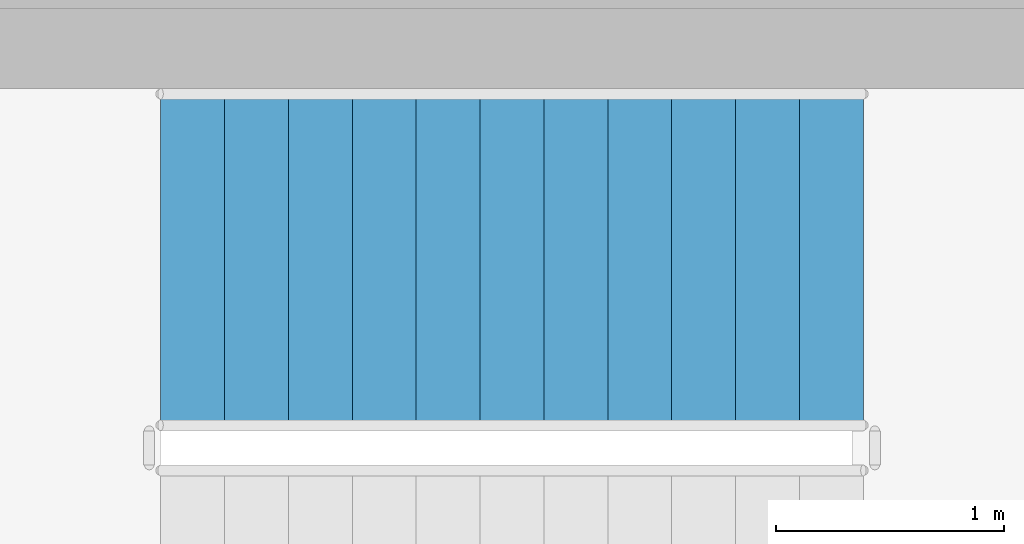
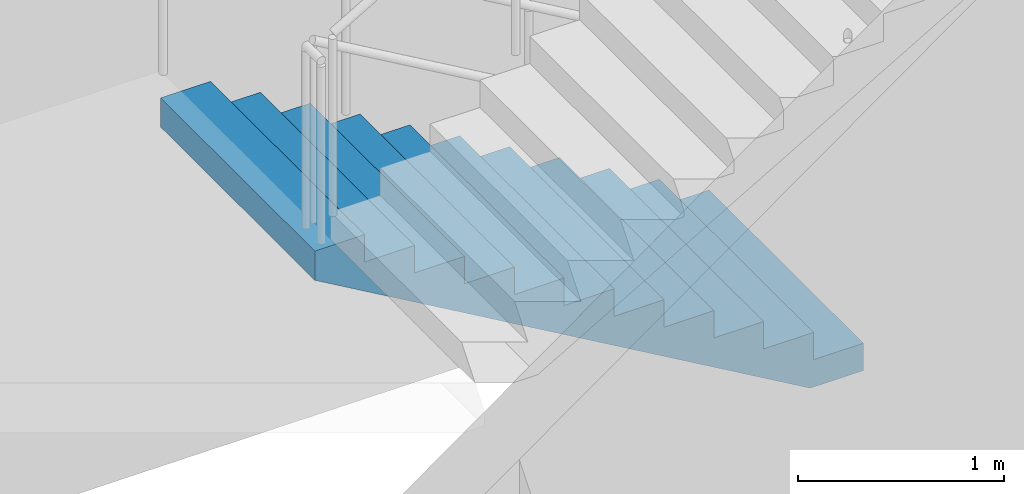
# One storey, part 76 of 95: 1 stair flight, 1 element without a shape of its own.
"""IFC4 building model written with IfcOpenShell, lengths in metres."""

from ifc_helpers import new_model, si_unit, direction, frame, origin, place, context, subcontext, project, spatial, triangles, material, type_object, element, aggregate, save


model = new_model("IFC4")

# Units and contexts
model_context = context("Model", 3, precision=1e-05, world=origin(), true_north=direction((0.0, 1.0)))
body_context = subcontext(model_context, "Body", "Model", "MODEL_VIEW")
ifc_project = project(units=[si_unit("LENGTHUNIT", "METRE"), si_unit("AREAUNIT", "SQUARE_METRE"), si_unit("VOLUMEUNIT", "CUBIC_METRE"), si_unit("PLANEANGLEUNIT", "RADIAN"), si_unit("MASSUNIT", "GRAM", prefix="KILO")], contexts=[model_context])

# Site, building, storey
site_placement = place(None, origin())
site = spatial("IfcSite", under=ifc_project, at=site_placement, CompositionType="ELEMENT")
building_placement = place(site_placement, origin())
building = spatial("IfcBuilding", under=site, at=building_placement, Name="Magnolia Steps Interchange", CompositionType="ELEMENT")
storey_placement = place(building_placement, frame((0.0, 0.0, 4.800048828125)))
storey = spatial("IfcBuildingStorey", under=building, at=storey_placement, Name="L01", CompositionType="ELEMENT", Elevation=4.800048828125)

# Stair, stair flight
ifc_material_1 = material(Name="Concrete C40", Category="concrete")
stair_type = type_object("IfcStairType", Name="Exit stair 1500", PredefinedType="HALF_TURN_STAIR", material=ifc_material_1)
stair_placement = place(storey_placement, origin())
stair = element("IfcStair", 1, at=stair_placement, inside=storey, type_object=stair_type, Name="L01 Stair 2", PredefinedType="HALF_TURN_STAIR")
ifc_material_2 = material(Name="Concrete C40", Category="concrete")
stair_flight_type = type_object("IfcStairFlightType", Name="Exit stair flight", PredefinedType="STRAIGHT", material=ifc_material_2)
stair_flight_placement = place(storey_placement, frame((59.0, 84.35009765625, 0.0), z_axis=(0.0, 0.0, 1.0), x_axis=(-1.0, 0.0, 0.0)))
stair_flight = element("IfcStairFlight", 2, at=stair_flight_placement, type_object=stair_flight_type, Name="Stair 2 flight 1", NumberOfRisers=12, NumberOfTreads=11, PredefinedType="STRAIGHT", RiserHeight=0.1625, TreadLength=0.28, context=body_context, shape_type="Tessellation", body=[
    triangles([(0.0, -0.75, 0.0), (0.298583984375, -0.75, 0.0), (3.080078125, -0.75, 1.6142578125), (3.080078125, -0.75, 1.78759765625), (2.800048828125, -0.75, 1.78759765625), (2.800048828125, -0.75, 1.625), (2.52001953125, -0.75, 1.625), (2.52001953125, -0.75, 1.46240234375), (2.239990234375, -0.75, 1.46240234375), (2.239990234375, -0.75, 1.300048828125), (1.9599609375, -0.75, 1.300048828125), (1.9599609375, -0.75, 1.137451171875), (1.679931640625, -0.75, 1.137451171875), (1.679931640625, -0.75, 0.97509765625), (1.39990234375, -0.75, 0.97509765625), (1.39990234375, -0.75, 0.8125), (1.1201171875, -0.75, 0.8125), (1.1201171875, -0.75, 0.64990234375), (0.840087890625, -0.75, 0.64990234375), (0.840087890625, -0.75, 0.487548828125), (0.56005859375, -0.75, 0.487548828125), (0.56005859375, -0.75, 0.324951171875), (0.280029296875, -0.75, 0.324951171875), (0.280029296875, -0.75, 0.16259765625), (0.0, -0.75, 0.16259765625), (0.0, 0.75, 0.0), (0.298583984375, 0.75, 0.0), (3.080078125, 0.75, 1.6142578125), (3.080078125, 0.75, 1.78759765625), (2.800048828125, 0.75, 1.78759765625), (2.800048828125, 0.75, 1.625), (2.52001953125, 0.75, 1.625), (2.52001953125, 0.75, 1.46240234375), (2.239990234375, 0.75, 1.46240234375), (2.239990234375, 0.75, 1.300048828125), (1.9599609375, 0.75, 1.300048828125), (1.9599609375, 0.75, 1.137451171875), (1.679931640625, 0.75, 1.137451171875), (1.679931640625, 0.75, 0.97509765625), (1.39990234375, 0.75, 0.97509765625), (1.39990234375, 0.75, 0.8125), (1.1201171875, 0.75, 0.8125), (1.1201171875, 0.75, 0.64990234375), (0.840087890625, 0.75, 0.64990234375), (0.840087890625, 0.75, 0.487548828125), (0.56005859375, 0.75, 0.487548828125), (0.56005859375, 0.75, 0.324951171875), (0.280029296875, 0.75, 0.324951171875), (0.280029296875, 0.75, 0.16259765625), (0.0, 0.75, 0.16259765625), (0.0, 0.0, 0.0), (0.0, 0.0, 0.0406494140625), (0.0, 0.0, 0.081298828125), (0.0, 0.0, 0.1219482421875), (0.0, 0.0, 0.16259765625), (0.0, -0.05, 0.0), (0.0, -0.05, 0.16259765625), (0.0, 0.05, 0.0), (0.0, 0.05, 0.16259765625), (0.046671549479166664, 0.0, 0.16259765625), (0.09334309895833333, 0.0, 0.16259765625), (0.1400146484375, 0.0, 0.16259765625), (0.18668619791666666, 0.0, 0.16259765625), (0.23335774739583334, 0.0, 0.16259765625), (0.280029296875, 0.0, 0.16259765625), (0.280029296875, -0.05, 0.16259765625), (0.280029296875, 0.05, 0.16259765625), (0.280029296875, 0.0, 0.20318603515625), (0.280029296875, 0.0, 0.2437744140625), (0.280029296875, 0.0, 0.28436279296875), (0.280029296875, 0.0, 0.324951171875), (0.280029296875, -0.05, 0.324951171875), (0.280029296875, 0.05, 0.324951171875), (0.3267008463541667, 0.0, 0.324951171875), (0.3733723958333333, 0.0, 0.324951171875), (0.4200439453125, 0.0, 0.324951171875), (0.46671549479166663, 0.0, 0.324951171875), (0.5133870442708334, 0.0, 0.324951171875), (0.56005859375, 0.0, 0.324951171875), (0.56005859375, -0.05, 0.324951171875), (0.56005859375, 0.05, 0.324951171875), (0.56005859375, 0.0, 0.3656005859375), (0.56005859375, 0.0, 0.40625), (0.56005859375, 0.0, 0.4468994140625), (0.56005859375, 0.0, 0.487548828125), (0.56005859375, -0.05, 0.487548828125), (0.56005859375, 0.05, 0.487548828125), (0.6067301432291666, 0.0, 0.487548828125), (0.6534016927083334, 0.0, 0.487548828125), (0.7000732421875, 0.0, 0.487548828125), (0.7467447916666666, 0.0, 0.487548828125), (0.7934163411458334, 0.0, 0.487548828125), (0.840087890625, 0.0, 0.487548828125), (0.840087890625, -0.05, 0.487548828125), (0.840087890625, 0.05, 0.487548828125), (0.840087890625, 0.0, 0.52813720703125), (0.840087890625, 0.0, 0.5687255859375), (0.840087890625, 0.0, 0.60931396484375), (0.840087890625, 0.0, 0.64990234375), (0.840087890625, -0.05, 0.64990234375), (0.840087890625, 0.05, 0.64990234375), (0.8867594401041666, 0.0, 0.64990234375), (0.9334309895833334, 0.0, 0.64990234375), (0.9801025390625, 0.0, 0.64990234375), (1.0267740885416667, 0.0, 0.64990234375), (1.0734456380208333, 0.0, 0.64990234375), (1.1201171875, 0.0, 0.64990234375), (1.1201171875, -0.05, 0.64990234375), (1.1201171875, 0.05, 0.64990234375), (1.1201171875, 0.0, 0.6905517578125), (1.1201171875, 0.0, 0.731201171875), (1.1201171875, 0.0, 0.7718505859375), (1.1201171875, 0.0, 0.8125), (1.1201171875, -0.05, 0.8125), (1.1201171875, 0.05, 0.8125), (1.1900634765625, 0.0, 0.8125), (1.260009765625, 0.0, 0.8125), (1.3299560546875, 0.0, 0.8125), (1.39990234375, 0.0, 0.8125), (1.39990234375, -0.05, 0.8125), (1.39990234375, 0.05, 0.8125), (1.39990234375, 0.0, 0.8531494140625), (1.39990234375, 0.0, 0.893798828125), (1.39990234375, 0.0, 0.9344482421875), (1.39990234375, 0.0, 0.97509765625), (1.39990234375, -0.05, 0.97509765625), (1.39990234375, 0.05, 0.97509765625), (1.4465738932291667, 0.0, 0.97509765625), (1.4932454427083333, 0.0, 0.97509765625), (1.5399169921875, 0.0, 0.97509765625), (1.5865885416666667, 0.0, 0.97509765625), (1.6332600911458333, 0.0, 0.97509765625), (1.679931640625, 0.0, 0.97509765625), (1.679931640625, -0.05, 0.97509765625), (1.679931640625, 0.05, 0.97509765625), (1.679931640625, 0.0, 1.01568603515625), (1.679931640625, 0.0, 1.0562744140625), (1.679931640625, 0.0, 1.09686279296875), (1.679931640625, 0.0, 1.137451171875), (1.679931640625, -0.05, 1.137451171875), (1.679931640625, 0.05, 1.137451171875), (1.7266031901041667, 0.0, 1.137451171875), (1.7732747395833333, 0.0, 1.137451171875), (1.8199462890625, 0.0, 1.137451171875), (1.8666178385416667, 0.0, 1.137451171875), (1.9132893880208333, 0.0, 1.137451171875), (1.9599609375, 0.0, 1.137451171875), (1.9599609375, -0.05, 1.137451171875), (1.9599609375, 0.05, 1.137451171875), (1.9599609375, 0.0, 1.1781005859375), (1.9599609375, 0.0, 1.21875), (1.9599609375, 0.0, 1.2593994140625), (1.9599609375, 0.0, 1.300048828125), (1.9599609375, -0.05, 1.300048828125), (1.9599609375, 0.05, 1.300048828125), (2.0066324869791665, 0.0, 1.300048828125), (2.0533040364583335, 0.0, 1.300048828125), (2.0999755859375, 0.0, 1.300048828125), (2.1466471354166665, 0.0, 1.300048828125), (2.1933186848958335, 0.0, 1.300048828125), (2.239990234375, 0.0, 1.300048828125), (2.239990234375, -0.05, 1.300048828125), (2.239990234375, 0.05, 1.300048828125), (2.239990234375, 0.0, 1.34063720703125), (2.239990234375, 0.0, 1.3812255859375), (2.239990234375, 0.0, 1.42181396484375), (2.239990234375, 0.0, 1.46240234375), (2.239990234375, -0.05, 1.46240234375), (2.239990234375, 0.05, 1.46240234375), (2.2866617838541665, 0.0, 1.46240234375), (2.3333333333333335, 0.0, 1.46240234375), (2.3800048828125, 0.0, 1.46240234375), (2.4266764322916665, 0.0, 1.46240234375), (2.4733479817708335, 0.0, 1.46240234375), (2.52001953125, 0.0, 1.46240234375), (2.52001953125, -0.05, 1.46240234375), (2.52001953125, 0.05, 1.46240234375), (2.52001953125, 0.0, 1.5030517578125), (2.52001953125, 0.0, 1.543701171875), (2.52001953125, 0.0, 1.5843505859375), (2.52001953125, 0.0, 1.625), (2.52001953125, -0.05, 1.625), (2.52001953125, 0.05, 1.625), (2.5666910807291665, 0.0, 1.625), (2.6133626302083335, 0.0, 1.625), (2.6600341796875, 0.0, 1.625), (2.7067057291666665, 0.0, 1.625), (2.7533772786458335, 0.0, 1.625), (2.800048828125, 0.0, 1.625), (2.800048828125, -0.05, 1.625), (2.800048828125, 0.05, 1.625), (2.800048828125, 0.0, 1.6656494140625), (2.800048828125, 0.0, 1.706298828125), (2.800048828125, 0.0, 1.7469482421875), (2.800048828125, 0.0, 1.78759765625), (2.800048828125, -0.05, 1.78759765625), (2.800048828125, 0.05, 1.78759765625), (2.8467203776041665, 0.0, 1.78759765625), (2.8933919270833335, 0.0, 1.78759765625), (2.9400634765625, 0.0, 1.78759765625), (2.9867350260416665, 0.0, 1.78759765625), (3.0334065755208335, 0.0, 1.78759765625), (3.080078125, 0.0, 1.78759765625), (3.080078125, -0.05, 1.78759765625), (3.080078125, 0.05, 1.78759765625), (3.080078125, 0.0, 1.7442626953125), (3.080078125, 0.0, 1.700927734375), (3.080078125, 0.0, 1.6575927734375), (3.080078125, 0.0, 1.6142578125), (3.080078125, -0.05, 1.6142578125), (3.080078125, 0.05, 1.6142578125), (3.0196108610733696, 0.0, 1.5791652513586956), (2.9591435971467392, 0.0, 1.5440726902173914), (2.898676333220109, 0.0, 1.508980129076087), (2.8382090692934785, 0.0, 1.4738875679347827), (2.7777418053668477, 0.0, 1.4387950067934783), (2.7172745414402173, 0.0, 1.4037024456521738), (2.656807277513587, 0.0, 1.3686098845108696), (2.5963400135869565, 0.0, 1.3335173233695652), (2.535872749660326, 0.0, 1.2984247622282608), (2.475405485733696, 0.0, 1.2633322010869565), (2.4149382218070654, 0.0, 1.228239639945652), (2.3544709578804346, 0.0, 1.193147078804348), (2.294003693953804, 0.0, 1.1580545176630435), (2.233536430027174, 0.0, 1.1229619565217392), (2.1730691661005435, 0.0, 1.0878693953804348), (2.112601902173913, 0.0, 1.0527768342391304), (2.0521346382472827, 0.0, 1.0176842730978262), (1.991667374320652, 0.0, 0.9825917119565217), (1.9312001103940217, 0.0, 0.9474991508152174), (1.8707328464673914, 0.0, 0.9124065896739131), (1.810265582540761, 0.0, 0.8773140285326086), (1.7497983186141304, 0.0, 0.8422214673913043), (1.6893310546875, 0.0, 0.80712890625), (1.6288637907608696, 0.0, 0.7720363451086957), (1.568396526834239, 0.0, 0.7369437839673914), (1.5079292629076086, 0.0, 0.7018512228260869), (1.4474619989809783, 0.0, 0.6667586616847826), (1.386994735054348, 0.0, 0.6316661005434783), (1.3265274711277173, 0.0, 0.5965735394021738), (1.266060207201087, 0.0, 0.5614809782608696), (1.2055929432744565, 0.0, 0.5263884171195652), (1.1451256793478262, 0.0, 0.491295855978261), (1.0846584154211956, 0.0, 0.45620329483695654), (1.0241911514945654, 0.0, 0.4211107336956521), (0.9637238875679346, 0.0, 0.3860181725543479), (0.9032566236413042, 0.0, 0.35092561141304346), (0.8427893597146738, 0.0, 0.315833050271739), (0.7823220957880435, 0.0, 0.2807404891304348), (0.7218548318614131, 0.0, 0.24564792798913038), (0.6613875679347827, 0.0, 0.21055536684782616), (0.6009203040081523, 0.0, 0.17546280570652173), (0.540453040081522, 0.0, 0.1403702445652173), (0.47998577615489113, 0.0, 0.10527768342391308), (0.41951851222826075, 0.0, 0.07018512228260865), (0.3590512483016304, 0.0, 0.035092561141304435), (0.298583984375, 0.0, 0.0), (0.298583984375, -0.05, 0.0), (0.298583984375, 0.05, 0.0), (0.24881998697916666, 0.0, 0.0), (0.19905598958333331, 0.0, 0.0), (0.1492919921875, 0.0, 0.0), (0.09952799479166666, 0.0, 0.0), (0.04976399739583334, 0.0, 0.0)], [[1, 2, 3], [3, 4, 5], [3, 5, 6], [3, 6, 7], [3, 7, 8], [8, 9, 10], [3, 8, 10], [10, 11, 12], [3, 10, 12], [12, 13, 14], [3, 12, 14], [14, 15, 16], [3, 14, 16], [16, 17, 18], [3, 16, 18], [18, 19, 20], [3, 18, 20], [20, 21, 22], [3, 20, 22], [1, 3, 22], [22, 23, 24], [1, 22, 24], [24, 25, 1], [26, 28, 27], [28, 30, 29], [28, 31, 30], [28, 32, 31], [28, 33, 32], [33, 35, 34], [28, 35, 33], [35, 37, 36], [28, 37, 35], [37, 39, 38], [28, 39, 37], [39, 41, 40], [28, 41, 39], [41, 43, 42], [28, 43, 41], [43, 45, 44], [28, 45, 43], [45, 47, 46], [28, 47, 45], [26, 47, 28], [47, 49, 48], [26, 49, 47], [49, 26, 50], [1, 25, 57], [1, 57, 56], [56, 52, 51], [56, 53, 52], [56, 57, 53], [57, 54, 53], [57, 55, 54], [26, 59, 50], [26, 58, 59], [58, 51, 52], [58, 52, 53], [58, 53, 59], [59, 53, 54], [59, 54, 55], [25, 24, 66], [25, 66, 57], [57, 60, 55], [57, 61, 60], [57, 62, 61], [57, 66, 62], [66, 63, 62], [66, 64, 63], [66, 65, 64], [50, 67, 49], [50, 59, 67], [59, 55, 60], [59, 60, 61], [59, 61, 62], [59, 62, 67], [67, 62, 63], [67, 63, 64], [67, 64, 65], [24, 23, 72], [24, 72, 66], [66, 68, 65], [66, 69, 68], [66, 72, 69], [72, 70, 69], [72, 71, 70], [49, 73, 48], [49, 67, 73], [67, 65, 68], [67, 68, 69], [67, 69, 73], [73, 69, 70], [73, 70, 71], [23, 22, 80], [23, 80, 72], [72, 74, 71], [72, 75, 74], [72, 76, 75], [72, 80, 76], [80, 77, 76], [80, 78, 77], [80, 79, 78], [48, 81, 47], [48, 73, 81], [73, 71, 74], [73, 74, 75], [73, 75, 76], [73, 76, 81], [81, 76, 77], [81, 77, 78], [81, 78, 79], [22, 21, 86], [22, 86, 80], [80, 82, 79], [80, 83, 82], [80, 86, 83], [86, 84, 83], [86, 85, 84], [47, 87, 46], [47, 81, 87], [81, 79, 82], [81, 82, 83], [81, 83, 87], [87, 83, 84], [87, 84, 85], [21, 20, 94], [21, 94, 86], [86, 88, 85], [86, 89, 88], [86, 90, 89], [86, 94, 90], [94, 91, 90], [94, 92, 91], [94, 93, 92], [46, 95, 45], [46, 87, 95], [87, 85, 88], [87, 88, 89], [87, 89, 90], [87, 90, 95], [95, 90, 91], [95, 91, 92], [95, 92, 93], [20, 19, 100], [20, 100, 94], [94, 96, 93], [94, 97, 96], [94, 100, 97], [100, 98, 97], [100, 99, 98], [45, 101, 44], [45, 95, 101], [95, 93, 96], [95, 96, 97], [95, 97, 101], [101, 97, 98], [101, 98, 99], [19, 18, 108], [19, 108, 100], [100, 102, 99], [100, 103, 102], [100, 104, 103], [100, 108, 104], [108, 105, 104], [108, 106, 105], [108, 107, 106], [44, 109, 43], [44, 101, 109], [101, 99, 102], [101, 102, 103], [101, 103, 104], [101, 104, 109], [109, 104, 105], [109, 105, 106], [109, 106, 107], [18, 17, 114], [18, 114, 108], [108, 110, 107], [108, 111, 110], [108, 114, 111], [114, 112, 111], [114, 113, 112], [43, 115, 42], [43, 109, 115], [109, 107, 110], [109, 110, 111], [109, 111, 115], [115, 111, 112], [115, 112, 113], [17, 16, 120], [17, 120, 114], [114, 116, 113], [114, 117, 116], [114, 120, 117], [120, 118, 117], [120, 119, 118], [42, 121, 41], [42, 115, 121], [115, 113, 116], [115, 116, 117], [115, 117, 121], [121, 117, 118], [121, 118, 119], [16, 15, 126], [16, 126, 120], [120, 122, 119], [120, 123, 122], [120, 126, 123], [126, 124, 123], [126, 125, 124], [41, 127, 40], [41, 121, 127], [121, 119, 122], [121, 122, 123], [121, 123, 127], [127, 123, 124], [127, 124, 125], [15, 14, 134], [15, 134, 126], [126, 128, 125], [126, 129, 128], [126, 130, 129], [126, 134, 130], [134, 131, 130], [134, 132, 131], [134, 133, 132], [40, 135, 39], [40, 127, 135], [127, 125, 128], [127, 128, 129], [127, 129, 130], [127, 130, 135], [135, 130, 131], [135, 131, 132], [135, 132, 133], [14, 13, 140], [14, 140, 134], [134, 136, 133], [134, 137, 136], [134, 140, 137], [140, 138, 137], [140, 139, 138], [39, 141, 38], [39, 135, 141], [135, 133, 136], [135, 136, 137], [135, 137, 141], [141, 137, 138], [141, 138, 139], [13, 12, 148], [13, 148, 140], [140, 142, 139], [140, 143, 142], [140, 144, 143], [140, 148, 144], [148, 145, 144], [148, 146, 145], [148, 147, 146], [38, 149, 37], [38, 141, 149], [141, 139, 142], [141, 142, 143], [141, 143, 144], [141, 144, 149], [149, 144, 145], [149, 145, 146], [149, 146, 147], [12, 11, 154], [12, 154, 148], [148, 150, 147], [148, 151, 150], [148, 154, 151], [154, 152, 151], [154, 153, 152], [37, 155, 36], [37, 149, 155], [149, 147, 150], [149, 150, 151], [149, 151, 155], [155, 151, 152], [155, 152, 153], [11, 10, 162], [11, 162, 154], [154, 156, 153], [154, 157, 156], [154, 158, 157], [154, 162, 158], [162, 159, 158], [162, 160, 159], [162, 161, 160], [36, 163, 35], [36, 155, 163], [155, 153, 156], [155, 156, 157], [155, 157, 158], [155, 158, 163], [163, 158, 159], [163, 159, 160], [163, 160, 161], [10, 9, 168], [10, 168, 162], [162, 164, 161], [162, 165, 164], [162, 168, 165], [168, 166, 165], [168, 167, 166], [35, 169, 34], [35, 163, 169], [163, 161, 164], [163, 164, 165], [163, 165, 169], [169, 165, 166], [169, 166, 167], [9, 8, 176], [9, 176, 168], [168, 170, 167], [168, 171, 170], [168, 172, 171], [168, 176, 172], [176, 173, 172], [176, 174, 173], [176, 175, 174], [34, 177, 33], [34, 169, 177], [169, 167, 170], [169, 170, 171], [169, 171, 172], [169, 172, 177], [177, 172, 173], [177, 173, 174], [177, 174, 175], [8, 7, 182], [8, 182, 176], [176, 178, 175], [176, 179, 178], [176, 182, 179], [182, 180, 179], [182, 181, 180], [33, 183, 32], [33, 177, 183], [177, 175, 178], [177, 178, 179], [177, 179, 183], [183, 179, 180], [183, 180, 181], [7, 6, 190], [7, 190, 182], [182, 184, 181], [182, 185, 184], [182, 186, 185], [182, 190, 186], [190, 187, 186], [190, 188, 187], [190, 189, 188], [32, 191, 31], [32, 183, 191], [183, 181, 184], [183, 184, 185], [183, 185, 186], [183, 186, 191], [191, 186, 187], [191, 187, 188], [191, 188, 189], [6, 5, 196], [6, 196, 190], [190, 192, 189], [190, 193, 192], [190, 196, 193], [196, 194, 193], [196, 195, 194], [31, 197, 30], [31, 191, 197], [191, 189, 192], [191, 192, 193], [191, 193, 197], [197, 193, 194], [197, 194, 195], [5, 4, 204], [5, 204, 196], [196, 198, 195], [196, 199, 198], [196, 200, 199], [196, 204, 200], [204, 201, 200], [204, 202, 201], [204, 203, 202], [30, 205, 29], [30, 197, 205], [197, 195, 198], [197, 198, 199], [197, 199, 200], [197, 200, 205], [205, 200, 201], [205, 201, 202], [205, 202, 203], [4, 3, 210], [4, 210, 204], [204, 206, 203], [204, 207, 206], [204, 210, 207], [210, 208, 207], [210, 209, 208], [29, 211, 28], [29, 205, 211], [205, 203, 206], [205, 206, 207], [205, 207, 211], [211, 207, 208], [211, 208, 209], [3, 2, 258], [3, 258, 210], [210, 212, 209], [210, 213, 212], [210, 214, 213], [210, 215, 214], [210, 216, 215], [210, 217, 216], [210, 218, 217], [210, 219, 218], [210, 220, 219], [210, 221, 220], [210, 222, 221], [210, 223, 222], [210, 224, 223], [210, 225, 224], [210, 226, 225], [210, 227, 226], [210, 228, 227], [210, 229, 228], [210, 230, 229], [210, 231, 230], [210, 232, 231], [210, 233, 232], [210, 234, 233], [210, 258, 234], [258, 235, 234], [258, 236, 235], [258, 237, 236], [258, 238, 237], [258, 239, 238], [258, 240, 239], [258, 241, 240], [258, 242, 241], [258, 243, 242], [258, 244, 243], [258, 245, 244], [258, 246, 245], [258, 247, 246], [258, 248, 247], [258, 249, 248], [258, 250, 249], [258, 251, 250], [258, 252, 251], [258, 253, 252], [258, 254, 253], [258, 255, 254], [258, 256, 255], [258, 257, 256], [28, 259, 27], [28, 211, 259], [211, 209, 212], [211, 212, 213], [211, 213, 214], [211, 214, 215], [211, 215, 216], [211, 216, 217], [211, 217, 218], [211, 218, 219], [211, 219, 220], [211, 220, 221], [211, 221, 222], [211, 222, 223], [211, 223, 224], [211, 224, 225], [211, 225, 226], [211, 226, 227], [211, 227, 228], [211, 228, 229], [211, 229, 230], [211, 230, 231], [211, 231, 232], [211, 232, 233], [211, 233, 234], [211, 234, 259], [259, 234, 235], [259, 235, 236], [259, 236, 237], [259, 237, 238], [259, 238, 239], [259, 239, 240], [259, 240, 241], [259, 241, 242], [259, 242, 243], [259, 243, 244], [259, 244, 245], [259, 245, 246], [259, 246, 247], [259, 247, 248], [259, 248, 249], [259, 249, 250], [259, 250, 251], [259, 251, 252], [259, 252, 253], [259, 253, 254], [259, 254, 255], [259, 255, 256], [259, 256, 257], [2, 1, 56], [2, 56, 258], [258, 260, 257], [258, 261, 260], [258, 262, 261], [258, 56, 262], [56, 263, 262], [56, 264, 263], [56, 51, 264], [27, 58, 26], [27, 259, 58], [259, 257, 260], [259, 260, 261], [259, 261, 262], [259, 262, 58], [58, 262, 263], [58, 263, 264], [58, 264, 51]], closed=True),
])
aggregate(stair, [stair_flight])

save(model, "model.ifc")
